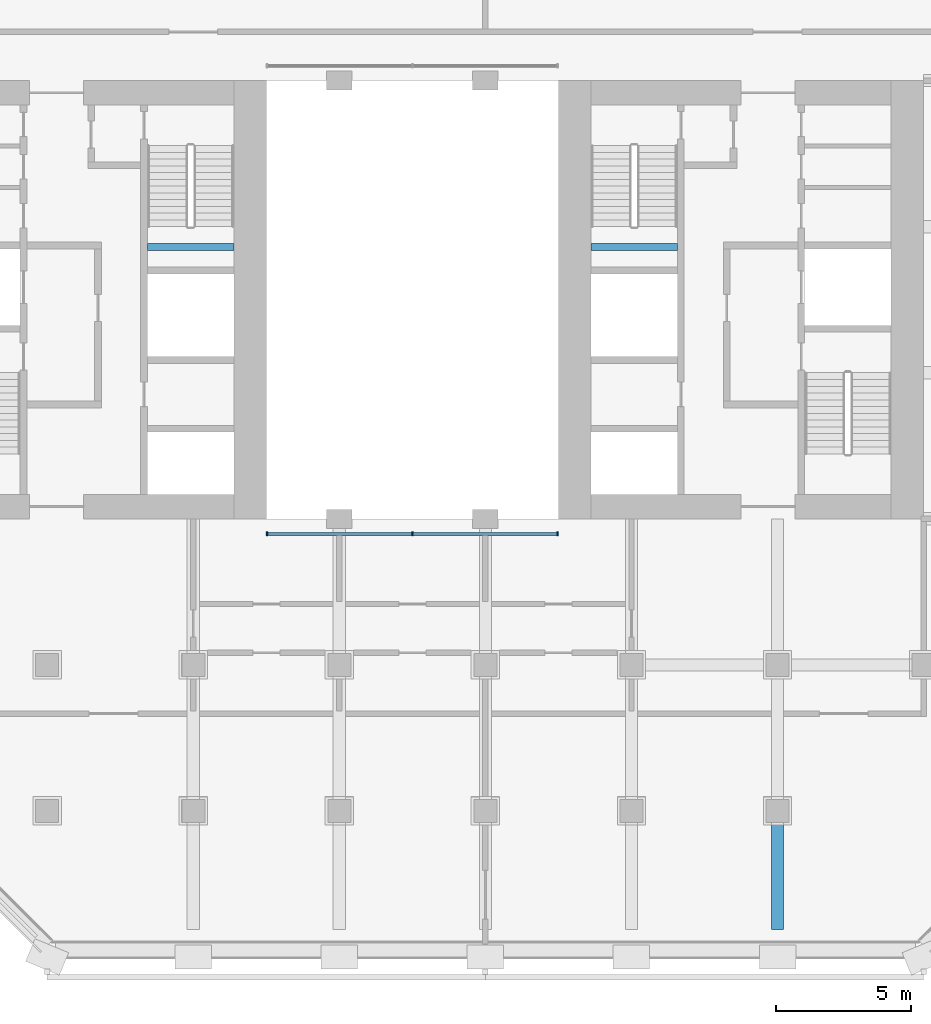
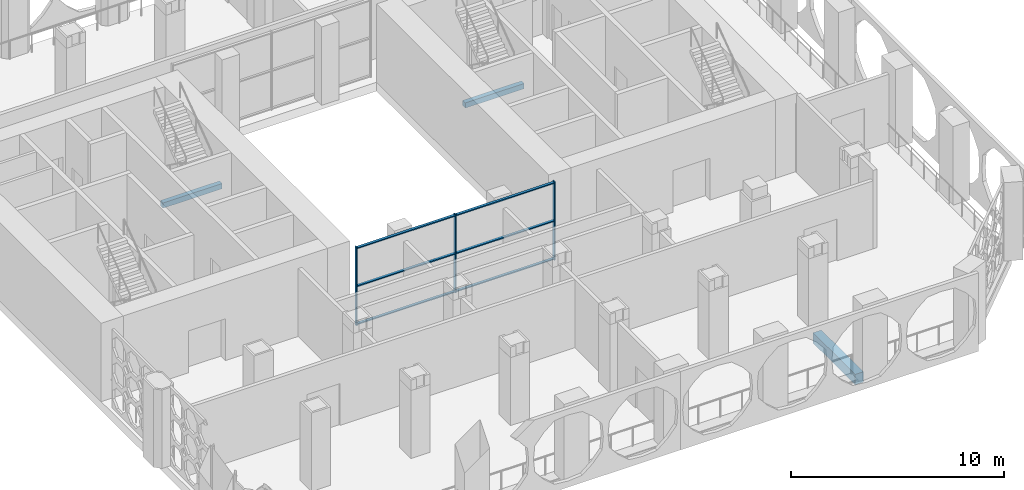
# One storey, part 2 of 14: 9 members, 3 beams, 1 element without a shape of its own.
"""IFC4 building model written with IfcOpenShell, lengths in metres."""

from ifc_helpers import new_model, si_unit, direction, frame, origin, origin_2d, place, context, subcontext, project, spatial, rectangle, extrude, material, material_profile, profile_set, type_object, element, aggregate, save


model = new_model("IFC4")

# Units and contexts
model_context = context("Model", 3, precision=1e-05, world=origin(), true_north=direction((0.0, 1.0)))
body_context = subcontext(model_context, "Body", "Model", "MODEL_VIEW")
ifc_project = project(units=[si_unit("LENGTHUNIT", "METRE"), si_unit("AREAUNIT", "SQUARE_METRE"), si_unit("VOLUMEUNIT", "CUBIC_METRE"), si_unit("PLANEANGLEUNIT", "RADIAN"), si_unit("MASSUNIT", "GRAM", prefix="KILO")], contexts=[model_context])

# Site, building, storey
site_placement = place(None, origin())
site = spatial("IfcSite", under=ifc_project, at=site_placement, CompositionType="ELEMENT")
building_placement = place(site_placement, origin())
building = spatial("IfcBuilding", under=site, at=building_placement, Name="Tabaq Tower and Sports Hall", CompositionType="ELEMENT")
storey_placement = place(building_placement, frame((0.0, 0.0, 175.89990234375)))
storey = spatial("IfcBuildingStorey", under=building, at=storey_placement, Name="L42", CompositionType="ELEMENT", Elevation=175.89990234375)

# Curtain wall, members
ifc_material_1 = material(Name="Aluminium alloy 6063-T6 framed glazing", Category="aluminium")
curtain_wall_type = type_object("IfcCurtainWallType", Name="CW1 curtain wall", PredefinedType="USERDEFINED", material=ifc_material_1)
curtain_wall_placement = place(storey_placement, origin())
curtain_wall = element("IfcCurtainWall", 1, at=curtain_wall_placement, inside=storey, type_object=curtain_wall_type, Name="Atrium glazing L42 S", ObjectType="ATRIUM ENCLOSURE", PredefinedType="USERDEFINED")
ifc_material_2 = material(Name="Aluminium alloy 6063-T6", Category="aluminium")
ifc_material_profile_1 = material_profile(ifc_material_2, rectangle(XDim=0.159912109375, YDim=0.06005859375, at=origin_2d()), Name="MULLION 160x60")
ifc_profile_set_1 = profile_set([ifc_material_profile_1], Name="Aluminium alloy 6063-T6")
member_type_1 = type_object("IfcMemberType", Name="CW1 mullion 160x60", PredefinedType="MULLION", material=ifc_profile_set_1)
member_1_placement = place(storey_placement, frame((18.929931640625, 15.64990234375, 0.0), z_axis=(0.0, 0.0, 1.0), x_axis=(0.0, 1.0, 0.0)))
member_1 = element("IfcMember", 2, at=member_1_placement, type_object=member_type_1, Name="CW1 mullion 1", PredefinedType="MULLION", context=body_context, shape_type="SweptSolid", body=[
    extrude(rectangle(XDim=0.159912109375, YDim=0.06005859375, at=origin_2d()), origin(), (0.0, 0.0, 1.0), 4.5),
])
member_2_placement = place(storey_placement, frame((24.300048828125, 15.64990234375, 0.0), z_axis=(0.0, 0.0, 1.0), x_axis=(0.0, 1.0, 0.0)))
member_2 = element("IfcMember", 3, at=member_2_placement, type_object=member_type_1, Name="CW1 mullion 2", PredefinedType="MULLION", context=body_context, shape_type="SweptSolid", body=[
    extrude(rectangle(XDim=0.159912109375, YDim=0.06005859375, at=origin_2d()), origin(), (0.0, 0.0, 1.0), 4.5),
])
member_3_placement = place(storey_placement, frame((29.669921875, 15.64990234375, 0.0), z_axis=(0.0, 0.0, 1.0), x_axis=(0.0, 1.0, 0.0)))
member_3 = element("IfcMember", 4, at=member_3_placement, type_object=member_type_1, Name="CW1 mullion 3", PredefinedType="MULLION", context=body_context, shape_type="SweptSolid", body=[
    extrude(rectangle(XDim=0.159912109375, YDim=0.06005859375, at=origin_2d()), origin(), (0.0, 0.0, 1.0), 4.5),
])
ifc_material_3 = material(Name="Aluminium alloy 6063-T6", Category="aluminium")
ifc_material_profile_2 = material_profile(ifc_material_3, rectangle(XDim=0.139892578125, YDim=0.06005859375, at=origin_2d()), Name="TRANSOM 140x60")
ifc_profile_set_2 = profile_set([ifc_material_profile_2], Name="Aluminium alloy 6063-T6")
member_type_2 = type_object("IfcMemberType", Name="CW1 transom 140x60", PredefinedType="USERDEFINED", material=ifc_profile_set_2)
member_4_placement = place(storey_placement, frame((18.9599609375, 15.64990234375, 0.070068359375), z_axis=(1.0, 0.0, 0.0), x_axis=(0.0, 1.0, 0.0)))
member_4 = element("IfcMember", 5, at=member_4_placement, type_object=member_type_2, Name="CW1 transom 1.1", ObjectType="TRANSOM", PredefinedType="USERDEFINED", context=body_context, shape_type="SweptSolid", body=[
    extrude(rectangle(XDim=0.139892578125, YDim=0.06005859375, at=origin_2d()), origin(), (0.0, 0.0, 1.0), 5.31005859375),
])
member_5_placement = place(storey_placement, frame((18.9599609375, 15.64990234375, 2.25), z_axis=(1.0, 0.0, 0.0), x_axis=(0.0, 1.0, 0.0)))
member_5 = element("IfcMember", 6, at=member_5_placement, type_object=member_type_2, Name="CW1 transom 1.2", ObjectType="TRANSOM", PredefinedType="USERDEFINED", context=body_context, shape_type="SweptSolid", body=[
    extrude(rectangle(XDim=0.139892578125, YDim=0.06005859375, at=origin_2d()), origin(), (0.0, 0.0, 1.0), 5.31005859375),
])
member_6_placement = place(storey_placement, frame((18.9599609375, 15.64990234375, 4.43017578125), z_axis=(1.0, 0.0, 0.0), x_axis=(0.0, 1.0, 0.0)))
member_6 = element("IfcMember", 7, at=member_6_placement, type_object=member_type_2, Name="CW1 transom 1.3", ObjectType="TRANSOM", PredefinedType="USERDEFINED", context=body_context, shape_type="SweptSolid", body=[
    extrude(rectangle(XDim=0.139892578125, YDim=0.06005859375, at=origin_2d()), origin(), (0.0, 0.0, 1.0), 5.31005859375),
])
member_7_placement = place(storey_placement, frame((24.330078125, 15.64990234375, 0.070068359375), z_axis=(1.0, 0.0, 0.0), x_axis=(0.0, 1.0, 0.0)))
member_7 = element("IfcMember", 8, at=member_7_placement, type_object=member_type_2, Name="CW1 transom 2.1", ObjectType="TRANSOM", PredefinedType="USERDEFINED", context=body_context, shape_type="SweptSolid", body=[
    extrude(rectangle(XDim=0.139892578125, YDim=0.06005859375, at=origin_2d()), origin(), (0.0, 0.0, 1.0), 5.309814453125),
])
member_8_placement = place(storey_placement, frame((24.330078125, 15.64990234375, 2.25), z_axis=(1.0, 0.0, 0.0), x_axis=(0.0, 1.0, 0.0)))
member_8 = element("IfcMember", 9, at=member_8_placement, type_object=member_type_2, Name="CW1 transom 2.2", ObjectType="TRANSOM", PredefinedType="USERDEFINED", context=body_context, shape_type="SweptSolid", body=[
    extrude(rectangle(XDim=0.139892578125, YDim=0.06005859375, at=origin_2d()), origin(), (0.0, 0.0, 1.0), 5.309814453125),
])
member_9_placement = place(storey_placement, frame((24.330078125, 15.64990234375, 4.43017578125), z_axis=(1.0, 0.0, 0.0), x_axis=(0.0, 1.0, 0.0)))
member_9 = element("IfcMember", 10, at=member_9_placement, type_object=member_type_2, Name="CW1 transom 2.3", ObjectType="TRANSOM", PredefinedType="USERDEFINED", context=body_context, shape_type="SweptSolid", body=[
    extrude(rectangle(XDim=0.139892578125, YDim=0.06005859375, at=origin_2d()), origin(), (0.0, 0.0, 1.0), 5.309814453125),
])
aggregate(curtain_wall, [member_1, member_2, member_3, member_4, member_5, member_6, member_7, member_8, member_9])

# Beams
ifc_material_4 = material(Name="Concrete C40/50", Category="concrete")
ifc_material_profile_3 = material_profile(ifc_material_4, rectangle(XDim=0.449951171875, YDim=0.60009765625, at=origin_2d()), Name="CB 450x600")
ifc_profile_set_3 = profile_set([ifc_material_profile_3], Name="Concrete C40/50")
beam_type_1 = type_object("IfcBeamType", Name="PT CANTILEVER BEAM CB 450x600 C40/50", PredefinedType="BEAM", material=ifc_profile_set_3)
beam_1_placement = place(storey_placement, frame((37.800048828125, 1.02490234375, -0.7998046875), z_axis=(0.0, 1.0, 0.0), x_axis=(-1.0, 0.0, 0.0)))
element("IfcBeam", 11, at=beam_1_placement, inside=storey, type_object=beam_type_1, Name="Cantilever Beam L42 S7 span 1", PredefinedType="BEAM", context=body_context, shape_type="SweptSolid", body=[
    extrude(rectangle(XDim=0.449951171875, YDim=0.60009765625, at=origin_2d()), origin(), (0.0, 0.0, 1.0), 3.9501953125),
])
ifc_material_5 = material(Name="Concrete C40/50", Category="concrete")
ifc_material_profile_4 = material_profile(ifc_material_5, rectangle(XDim=0.25, YDim=0.300048828125, at=origin_2d()), Name="RC 250x300")
ifc_profile_set_4 = profile_set([ifc_material_profile_4], Name="Concrete C40/50")
beam_type_2 = type_object("IfcBeamType", Name="Stair landing beam 250x300", PredefinedType="BEAM", material=ifc_profile_set_4)
beam_2_placement = place(storey_placement, frame((14.5, 26.25, 2.050048828125), z_axis=(1.0, 0.0, 0.0), x_axis=(0.0, 1.0, 0.0)))
element("IfcBeam", 12, at=beam_2_placement, inside=storey, type_object=beam_type_2, Name="L42 ST2 landing beam 1", PredefinedType="BEAM", context=body_context, shape_type="SweptSolid", body=[
    extrude(rectangle(XDim=0.25, YDim=0.300048828125, at=origin_2d()), origin(), (0.0, 0.0, 1.0), 3.199951171875),
])
beam_3_placement = place(storey_placement, frame((30.89990234375, 26.25, 2.050048828125), z_axis=(1.0, 0.0, 0.0), x_axis=(0.0, 1.0, 0.0)))
element("IfcBeam", 13, at=beam_3_placement, inside=storey, type_object=beam_type_2, Name="L42 ST4 landing beam 1", PredefinedType="BEAM", context=body_context, shape_type="SweptSolid", body=[
    extrude(rectangle(XDim=0.25, YDim=0.300048828125, at=origin_2d()), origin(), (0.0, 0.0, 1.0), 3.2001953125),
])

save(model, "model.ifc")
